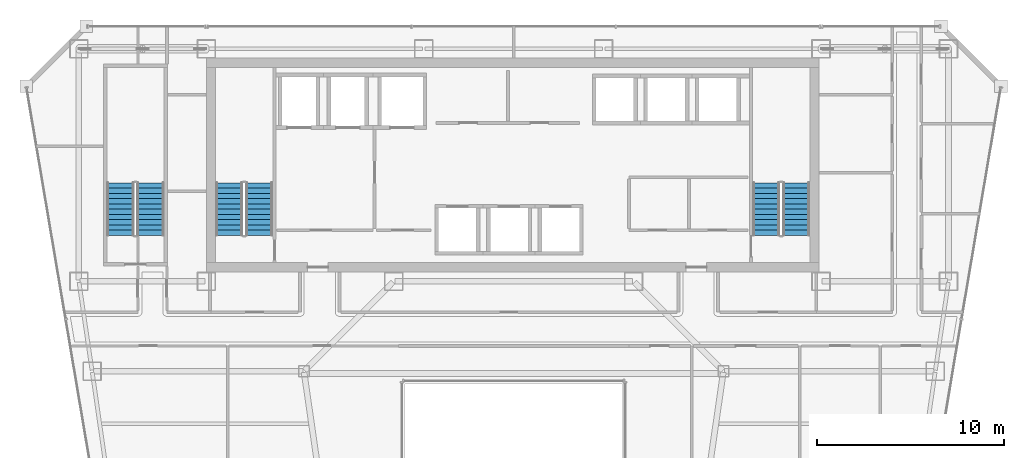
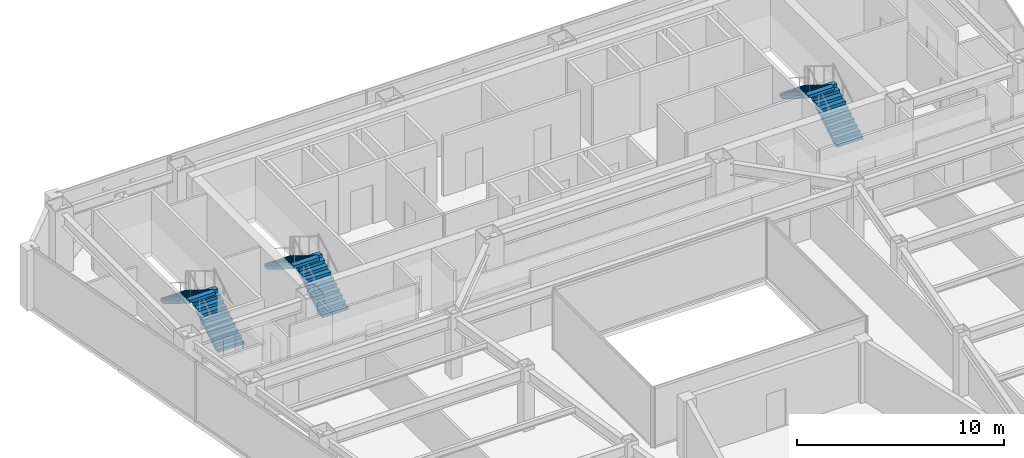
# One storey, part 27 of 31: 6 stair flights, 3 elements without a shape of their own.
"""IFC4 building model written with IfcOpenShell, lengths in metres."""

from ifc_helpers import new_model, si_unit, direction, frame, origin, place, context, subcontext, project, spatial, polyline, outline, extrude, material, type_object, element, aggregate, save


model = new_model("IFC4")

# Units and contexts
model_context = context("Model", 3, precision=1e-05, world=origin(), true_north=direction((0.0, 1.0)))
body_context = subcontext(model_context, "Body", "Model", "MODEL_VIEW")
ifc_project = project(units=[si_unit("LENGTHUNIT", "METRE"), si_unit("AREAUNIT", "SQUARE_METRE"), si_unit("VOLUMEUNIT", "CUBIC_METRE"), si_unit("PLANEANGLEUNIT", "RADIAN"), si_unit("MASSUNIT", "GRAM", prefix="KILO")], contexts=[model_context])

# Site, building, storey
site_placement = place(None, origin())
site = spatial("IfcSite", under=ifc_project, at=site_placement, CompositionType="ELEMENT")
building_placement = place(site_placement, origin())
building = spatial("IfcBuilding", under=site, at=building_placement, Name="Saevonmaru Cultural Tower", CompositionType="ELEMENT")
storey_placement = place(building_placement, frame((0.0, 0.0, 167.60009765625)))
storey = spatial("IfcBuildingStorey", under=building, at=storey_placement, Name="L37", CompositionType="ELEMENT", Elevation=167.60009765625)

# Stair, stair flights
ifc_material_1 = material(Name="Concrete C40/50", Category="concrete")
stair_type = type_object("IfcStairType", Name="STR-DOGLEG-RC", PredefinedType="HALF_TURN_STAIR", material=ifc_material_1)
stair_1_placement = place(storey_placement, origin())
stair_1 = element("IfcStair", 1, at=stair_1_placement, inside=storey, type_object=stair_type, Name="L37 Protected exit stair ST-1", PredefinedType="HALF_TURN_STAIR")
ifc_material_2 = material(Name="Precast concrete C40/50", Category="concrete")
stair_flight_type = type_object("IfcStairFlightType", Name="STF-PRECAST-180", PredefinedType="STRAIGHT", material=ifc_material_2)
stair_flight_1_placement = place(storey_placement, frame((16.425048828125, 44.85009765625, 0.0), z_axis=(0.0, 0.0, 1.0), x_axis=(0.0, 1.0, 0.0)))
stair_flight_1 = element("IfcStairFlight", 2, at=stair_flight_1_placement, type_object=stair_flight_type, Name="ST-1-L37 flight 1", NumberOfRisers=11, NumberOfTreads=10, PredefinedType="STRAIGHT", RiserHeight=0.172727273, TreadLength=0.28, context=body_context, shape_type="SweptSolid", body=[
    extrude(outline(polyline([(0.0, 0.0), (0.0, 0.172607421875), (0.280029296875, 0.172607421875), (0.280029296875, 0.345458984375), (0.56005859375, 0.345458984375), (0.56005859375, 0.51806640625), (0.840087890625, 0.51806640625), (0.840087890625, 0.69091796875), (1.1201171875, 0.69091796875), (1.1201171875, 0.863525390625), (1.39990234375, 0.863525390625), (1.39990234375, 1.036376953125), (1.679931640625, 1.036376953125), (1.679931640625, 1.208984375), (1.9599609375, 1.208984375), (1.9599609375, 1.3818359375), (2.239990234375, 1.3818359375), (2.239990234375, 1.554443359375), (2.52001953125, 1.554443359375), (2.52001953125, 1.727294921875), (2.800048828125, 1.727294921875), (2.800048828125, 1.89990234375), (2.800048828125, 1.551025390625), (0.285400390625, 0.0), (0.0, 0.0)])), frame((0.0, 0.72509765625, 0.0), z_axis=(0.0, -1.0, 0.0), x_axis=(1.0, 0.0, 0.0)), (0.0, 0.0, 1.0), 1.449951171875),
])
stair_flight_2_placement = place(storey_placement, frame((14.824951171875, 47.64990234375, 1.89990234375), z_axis=(0.0, 0.0, 1.0), x_axis=(0.0, -1.0, 0.0)))
stair_flight_2 = element("IfcStairFlight", 3, at=stair_flight_2_placement, type_object=stair_flight_type, Name="ST-1-L37 flight 2", NumberOfRisers=11, NumberOfTreads=10, PredefinedType="STRAIGHT", RiserHeight=0.172727273, TreadLength=0.28, context=body_context, shape_type="SweptSolid", body=[
    extrude(outline(polyline([(0.0, 0.0), (0.0, 0.172607421875), (0.280029296875, 0.172607421875), (0.280029296875, 0.345458984375), (0.56005859375, 0.345458984375), (0.56005859375, 0.51806640625), (0.840087890625, 0.51806640625), (0.840087890625, 0.69091796875), (1.1201171875, 0.69091796875), (1.1201171875, 0.863525390625), (1.39990234375, 0.863525390625), (1.39990234375, 1.036376953125), (1.679931640625, 1.036376953125), (1.679931640625, 1.208984375), (1.9599609375, 1.208984375), (1.9599609375, 1.3818359375), (2.239990234375, 1.3818359375), (2.239990234375, 1.554443359375), (2.52001953125, 1.554443359375), (2.52001953125, 1.727294921875), (2.800048828125, 1.727294921875), (2.800048828125, 1.89990234375), (2.800048828125, 1.551025390625), (0.285400390625, 0.0), (0.0, 0.0)])), frame((0.0, 0.72509765625, 0.0), z_axis=(0.0, -1.0, 0.0), x_axis=(1.0, 0.0, 0.0)), (0.0, 0.0, 1.0), 1.449951171875),
])
aggregate(stair_1, [stair_flight_1, stair_flight_2])

stair_2_placement = place(storey_placement, origin())
stair_2 = element("IfcStair", 4, at=stair_2_placement, inside=storey, type_object=stair_type, Name="L37 Protected exit stair ST-2", PredefinedType="HALF_TURN_STAIR")
stair_flight_3_placement = place(storey_placement, frame((45.074951171875, 44.85009765625, 0.0), z_axis=(0.0, 0.0, 1.0), x_axis=(0.0, 1.0, 0.0)))
stair_flight_3 = element("IfcStairFlight", 5, at=stair_flight_3_placement, type_object=stair_flight_type, Name="ST-2-L37 flight 1", NumberOfRisers=11, NumberOfTreads=10, PredefinedType="STRAIGHT", RiserHeight=0.172727273, TreadLength=0.28, context=body_context, shape_type="SweptSolid", body=[
    extrude(outline(polyline([(0.0, 0.0), (0.0, 0.172607421875), (0.280029296875, 0.172607421875), (0.280029296875, 0.345458984375), (0.56005859375, 0.345458984375), (0.56005859375, 0.51806640625), (0.840087890625, 0.51806640625), (0.840087890625, 0.69091796875), (1.1201171875, 0.69091796875), (1.1201171875, 0.863525390625), (1.39990234375, 0.863525390625), (1.39990234375, 1.036376953125), (1.679931640625, 1.036376953125), (1.679931640625, 1.208984375), (1.9599609375, 1.208984375), (1.9599609375, 1.3818359375), (2.239990234375, 1.3818359375), (2.239990234375, 1.554443359375), (2.52001953125, 1.554443359375), (2.52001953125, 1.727294921875), (2.800048828125, 1.727294921875), (2.800048828125, 1.89990234375), (2.800048828125, 1.551025390625), (0.285400390625, 0.0), (0.0, 0.0)])), frame((0.0, 0.72509765625, 0.0), z_axis=(0.0, -1.0, 0.0), x_axis=(1.0, 0.0, 0.0)), (0.0, 0.0, 1.0), 1.449951171875),
])
stair_flight_4_placement = place(storey_placement, frame((43.47509765625, 47.64990234375, 1.89990234375), z_axis=(0.0, 0.0, 1.0), x_axis=(0.0, -1.0, 0.0)))
stair_flight_4 = element("IfcStairFlight", 6, at=stair_flight_4_placement, type_object=stair_flight_type, Name="ST-2-L37 flight 2", NumberOfRisers=11, NumberOfTreads=10, PredefinedType="STRAIGHT", RiserHeight=0.172727273, TreadLength=0.28, context=body_context, shape_type="SweptSolid", body=[
    extrude(outline(polyline([(0.0, 0.0), (0.0, 0.172607421875), (0.280029296875, 0.172607421875), (0.280029296875, 0.345458984375), (0.56005859375, 0.345458984375), (0.56005859375, 0.51806640625), (0.840087890625, 0.51806640625), (0.840087890625, 0.69091796875), (1.1201171875, 0.69091796875), (1.1201171875, 0.863525390625), (1.39990234375, 0.863525390625), (1.39990234375, 1.036376953125), (1.679931640625, 1.036376953125), (1.679931640625, 1.208984375), (1.9599609375, 1.208984375), (1.9599609375, 1.3818359375), (2.239990234375, 1.3818359375), (2.239990234375, 1.554443359375), (2.52001953125, 1.554443359375), (2.52001953125, 1.727294921875), (2.800048828125, 1.727294921875), (2.800048828125, 1.89990234375), (2.800048828125, 1.551025390625), (0.285400390625, 0.0), (0.0, 0.0)])), frame((0.0, 0.72509765625, 0.0), z_axis=(0.0, -1.0, 0.0), x_axis=(1.0, 0.0, 0.0)), (0.0, 0.0, 1.0), 1.449951171875),
])
aggregate(stair_2, [stair_flight_3, stair_flight_4])

stair_3_placement = place(storey_placement, origin())
stair_3 = element("IfcStair", 7, at=stair_3_placement, inside=storey, type_object=stair_type, Name="L37 Protected exit stair ST-3", PredefinedType="HALF_TURN_STAIR")
stair_flight_5_placement = place(storey_placement, frame((10.625, 44.85009765625, 0.0), z_axis=(0.0, 0.0, 1.0), x_axis=(0.0, 1.0, 0.0)))
stair_flight_5 = element("IfcStairFlight", 8, at=stair_flight_5_placement, type_object=stair_flight_type, Name="ST-3-L37 flight 1", NumberOfRisers=11, NumberOfTreads=10, PredefinedType="STRAIGHT", RiserHeight=0.172727273, TreadLength=0.28, context=body_context, shape_type="SweptSolid", body=[
    extrude(outline(polyline([(0.0, 0.0), (0.0, 0.172607421875), (0.280029296875, 0.172607421875), (0.280029296875, 0.345458984375), (0.56005859375, 0.345458984375), (0.56005859375, 0.51806640625), (0.840087890625, 0.51806640625), (0.840087890625, 0.69091796875), (1.1201171875, 0.69091796875), (1.1201171875, 0.863525390625), (1.39990234375, 0.863525390625), (1.39990234375, 1.036376953125), (1.679931640625, 1.036376953125), (1.679931640625, 1.208984375), (1.9599609375, 1.208984375), (1.9599609375, 1.3818359375), (2.239990234375, 1.3818359375), (2.239990234375, 1.554443359375), (2.52001953125, 1.554443359375), (2.52001953125, 1.727294921875), (2.800048828125, 1.727294921875), (2.800048828125, 1.89990234375), (2.800048828125, 1.551025390625), (0.285400390625, 0.0), (0.0, 0.0)])), frame((0.0, 0.72509765625, 0.0), z_axis=(0.0, -1.0, 0.0), x_axis=(1.0, 0.0, 0.0)), (0.0, 0.0, 1.0), 1.449951171875),
])
stair_flight_6_placement = place(storey_placement, frame((9.02490234375, 47.64990234375, 1.89990234375), z_axis=(0.0, 0.0, 1.0), x_axis=(0.0, -1.0, 0.0)))
stair_flight_6 = element("IfcStairFlight", 9, at=stair_flight_6_placement, type_object=stair_flight_type, Name="ST-3-L37 flight 2", NumberOfRisers=11, NumberOfTreads=10, PredefinedType="STRAIGHT", RiserHeight=0.172727273, TreadLength=0.28, context=body_context, shape_type="SweptSolid", body=[
    extrude(outline(polyline([(0.0, 0.0), (0.0, 0.172607421875), (0.280029296875, 0.172607421875), (0.280029296875, 0.345458984375), (0.56005859375, 0.345458984375), (0.56005859375, 0.51806640625), (0.840087890625, 0.51806640625), (0.840087890625, 0.69091796875), (1.1201171875, 0.69091796875), (1.1201171875, 0.863525390625), (1.39990234375, 0.863525390625), (1.39990234375, 1.036376953125), (1.679931640625, 1.036376953125), (1.679931640625, 1.208984375), (1.9599609375, 1.208984375), (1.9599609375, 1.3818359375), (2.239990234375, 1.3818359375), (2.239990234375, 1.554443359375), (2.52001953125, 1.554443359375), (2.52001953125, 1.727294921875), (2.800048828125, 1.727294921875), (2.800048828125, 1.89990234375), (2.800048828125, 1.551025390625), (0.285400390625, 0.0), (0.0, 0.0)])), frame((0.0, 0.72509765625, 0.0), z_axis=(0.0, -1.0, 0.0), x_axis=(1.0, 0.0, 0.0)), (0.0, 0.0, 1.0), 1.449951171875),
])
aggregate(stair_3, [stair_flight_5, stair_flight_6])

save(model, "model.ifc")
